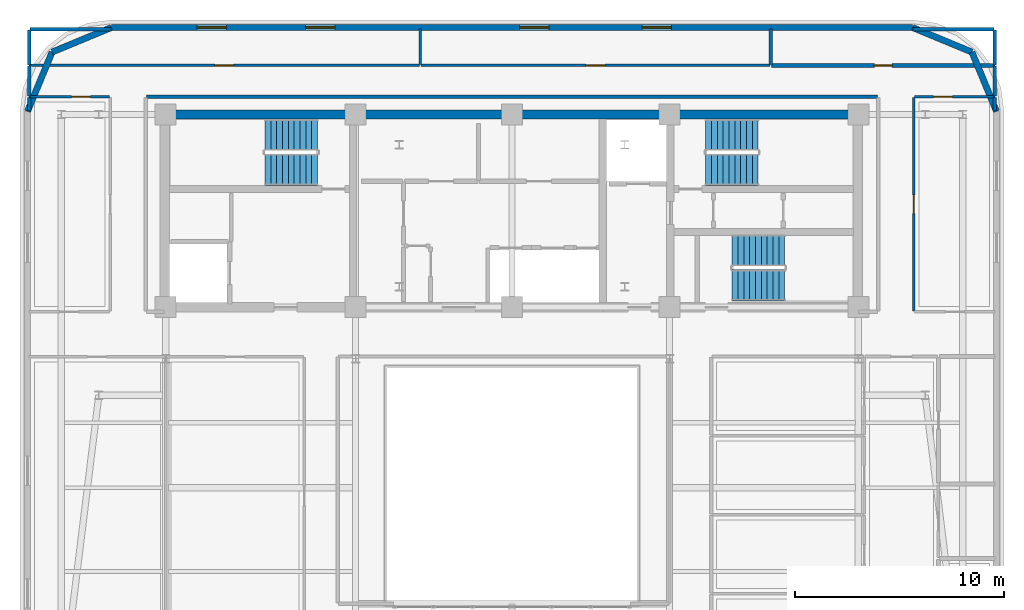
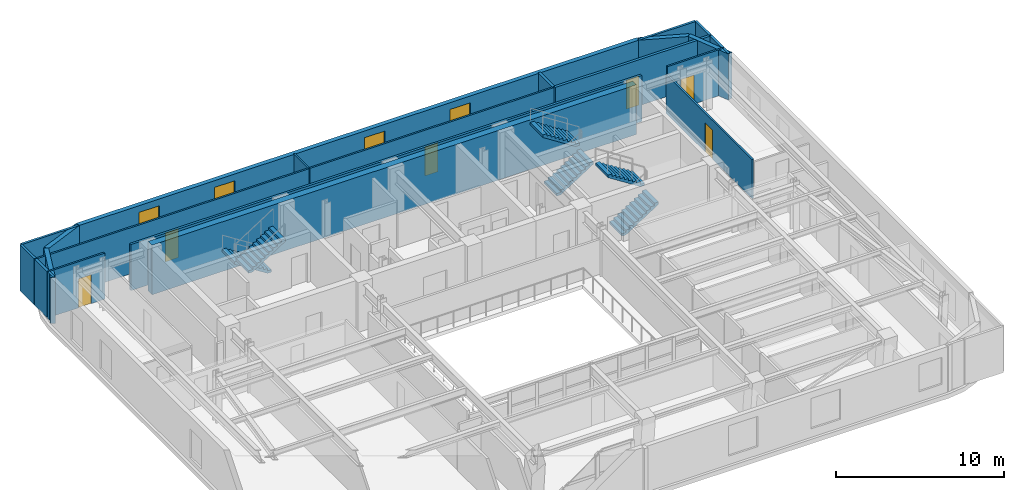
# One storey, part 9 of 13: 23 walls, 6 doors, 6 stair flights, 4 windows, 10 openings, 3 elements without a shape of their own.
"""IFC4 building model written with IfcOpenShell, lengths in metres."""

from ifc_helpers import new_model, si_unit, direction, frame, frame_2d, origin, place, context, subcontext, project, spatial, polyline, rectangle, outline, extrude, material, layer, layer_set, type_object, element, fill, aggregate, save


model = new_model("IFC4")

# Units and contexts
model_context = context("Model", 3, precision=1e-05, world=origin(), true_north=direction((0.0, 1.0)))
body_context = subcontext(model_context, "Body", "Model", "MODEL_VIEW")
ifc_project = project(units=[si_unit("LENGTHUNIT", "METRE"), si_unit("AREAUNIT", "SQUARE_METRE"), si_unit("VOLUMEUNIT", "CUBIC_METRE"), si_unit("PLANEANGLEUNIT", "RADIAN"), si_unit("MASSUNIT", "GRAM", prefix="KILO")], contexts=[model_context])

# Site, building, storey
site_placement = place(None, origin())
site = spatial("IfcSite", under=ifc_project, at=site_placement, CompositionType="ELEMENT")
building_placement = place(site_placement, origin())
building = spatial("IfcBuilding", under=site, at=building_placement, Name="Zarnavel Station Tower", CompositionType="ELEMENT")
storey_placement = place(building_placement, frame((0.0, 0.0, 207.60009765625)))
storey = spatial("IfcBuildingStorey", under=building, at=storey_placement, Name="L56", CompositionType="ELEMENT", Elevation=207.60009765625)

# Walls
ifc_material_1 = material(Name="Concrete C50/60", Category="concrete")
ifc_layer_1 = layer(ifc_material_1, 0.449951171875)
ifc_layer_set_1 = layer_set([ifc_layer_1], Name="CW_450")
wall_type_1 = type_object("IfcWallType", Name="CW_450", PredefinedType="SHEAR", material=ifc_layer_set_1)
wall_1_placement = place(storey_placement, frame((12.14990234375, 37.050048828125, 0.0), z_axis=(0.0, 0.0, 1.0), x_axis=(1.0, 0.0, 0.0)))
element("IfcWall", 1, at=wall_1_placement, inside=storey, type_object=wall_type_1, Name="L56 Rear Core Shear Wall N", PredefinedType="SHEAR", context=body_context, shape_type="SweptSolid", body=[
    extrude(rectangle(XDim=33.22998046875, YDim=0.449951171875, at=frame_2d((16.614990234375, 0.0))), origin(), (0.0, 0.0, 1.0), 3.599853515625),
])
ifc_material_2 = material(Name="Precast concrete C45/55 (Dark Basalt Finish)", Category="masonry")
ifc_layer_2 = layer(ifc_material_2, 0.300048828125)
ifc_layer_set_2 = layer_set([ifc_layer_2], Name="EW_BASALT_300")
wall_type_2 = type_object("IfcWallType", Name="EW_BASALT_300", PredefinedType="SOLIDWALL", material=ifc_layer_set_2)
for number, where, z_axis, x_axis, name in (
    (2, (50.842529296875, 40.04248046875, 0.0), (0.0, 0.0, 1.0), (0.382704529509, -0.923870793506, 0.0), "L56 Exterior Basalt Masonry Frame Wall 04"),
    (3, (48.0, 41.219970703125, 0.0), (0.0, 0.0, 1.0), (0.923870793506, -0.382704529509, 0.0), "L56 Exterior Basalt Masonry Frame Wall 05"),
):
    element("IfcWall", number, at=place(storey_placement, frame(where, z_axis=z_axis, x_axis=x_axis)), inside=storey, type_object=wall_type_2, Name=name, PredefinedType="SOLIDWALL", context=body_context, shape_type="SweptSolid", body=[
        extrude(rectangle(XDim=3.07666015625, YDim=0.300048828125, at=frame_2d((1.538330078125, 0.0))), origin(), (0.0, 0.0, 1.0), 3.33984375),
    ])

# Wall, openings, windows
wall_2_placement = place(storey_placement, frame((9.60009765625, 41.219970703125, 0.0), z_axis=(0.0, 0.0, 1.0), x_axis=(1.0, 0.0, 0.0)))
wall_2 = element("IfcWall", 4, at=wall_2_placement, inside=storey, type_object=wall_type_2, Name="L56 Exterior Basalt Masonry Frame Wall 06", PredefinedType="SOLIDWALL", context=body_context, shape_type="SweptSolid", body=[
    extrude(rectangle(XDim=38.39990234375, YDim=0.300048828125, at=frame_2d((19.199951171875, 0.0))), origin(), (0.0, 0.0, 1.0), 3.33984375),
])
opening_1_placement = place(wall_2_placement, frame((4.11328125, 0.0, 0.75)))
opening_1 = element("IfcOpeningElement", 5, at=opening_1_placement, cuts=wall_2, Name="Opening WN04", PredefinedType="OPENING", context=body_context, shape_type="SweptSolid", body=[
    extrude(rectangle(XDim=1.39990234375, YDim=2.10009765625, at=frame_2d((0.699951171875, 1.050048828125))), frame((0.0, 0.159912109375, 0.0), z_axis=(0.0, -1.0, 0.0), x_axis=(1.0, 0.0, 0.0)), (0.0, 0.0, 1.0), 0.320068359375),
])
opening_2_placement = place(wall_2_placement, frame((9.306640625, 0.0, 0.75)))
opening_2 = element("IfcOpeningElement", 6, at=opening_2_placement, cuts=wall_2, Name="Opening WN04", PredefinedType="OPENING", context=body_context, shape_type="SweptSolid", body=[
    extrude(rectangle(XDim=1.39990234375, YDim=2.10009765625, at=frame_2d((0.699951171875, 1.050048828125))), frame((0.0, 0.159912109375, 0.0), z_axis=(0.0, -1.0, 0.0), x_axis=(1.0, 0.0, 0.0)), (0.0, 0.0, 1.0), 0.320068359375),
])
opening_3_placement = place(wall_2_placement, frame((19.566650390625, 0.0, 0.75)))
opening_3 = element("IfcOpeningElement", 7, at=opening_3_placement, cuts=wall_2, Name="Opening WN04", PredefinedType="OPENING", context=body_context, shape_type="SweptSolid", body=[
    extrude(rectangle(XDim=1.39990234375, YDim=2.10009765625, at=frame_2d((0.699951171875, 1.050048828125))), frame((0.0, 0.159912109375, 0.0), z_axis=(0.0, -1.0, 0.0), x_axis=(1.0, 0.0, 0.0)), (0.0, 0.0, 1.0), 0.320068359375),
])
opening_4_placement = place(wall_2_placement, frame((25.433349609375, 0.0, 0.75)))
opening_4 = element("IfcOpeningElement", 8, at=opening_4_placement, cuts=wall_2, Name="Opening WN04", PredefinedType="OPENING", context=body_context, shape_type="SweptSolid", body=[
    extrude(rectangle(XDim=1.39990234375, YDim=2.10009765625, at=frame_2d((0.699951171875, 1.050048828125))), frame((0.0, 0.159912109375, 0.0), z_axis=(0.0, -1.0, 0.0), x_axis=(1.0, 0.0, 0.0)), (0.0, 0.0, 1.0), 0.320068359375),
])
ifc_material_3 = material(Name="Thermally Broken Black Aluminium and Low-E Dark Glass", Category="aluminium")
window_type = type_object("IfcWindowType", Name="WN_1400x2100", PartitioningType="DOUBLE_PANEL_VERTICAL", PredefinedType="WINDOW", material=ifc_material_3)
window_1_placement = place(opening_1_placement, origin())
window_1 = element("IfcWindow", 9, at=window_1_placement, inside=storey, type_object=window_type, Name="L56 Recessed Facade Window 01", OverallHeight=2.10009765625, OverallWidth=1.39990234375, PartitioningType="SINGLE_PANEL", PredefinedType="WINDOW", context=body_context, shape_type="SweptSolid", body=[
    extrude(rectangle(XDim=1.39990234375, YDim=2.10009765625, at=frame_2d((0.699951171875, 1.050048828125))), frame((0.0, 0.030029296875, 0.0), z_axis=(0.0, -1.0, 0.0), x_axis=(1.0, 0.0, 0.0)), (0.0, 0.0, 1.0), 0.06005859375),
])
fill(opening_1, window_1)
window_2_placement = place(opening_2_placement, origin())
window_2 = element("IfcWindow", 10, at=window_2_placement, inside=storey, type_object=window_type, Name="L56 Recessed Facade Window 02", OverallHeight=2.10009765625, OverallWidth=1.39990234375, PartitioningType="SINGLE_PANEL", PredefinedType="WINDOW", context=body_context, shape_type="SweptSolid", body=[
    extrude(rectangle(XDim=1.39990234375, YDim=2.10009765625, at=frame_2d((0.699951171875, 1.050048828125))), frame((0.0, 0.030029296875, 0.0), z_axis=(0.0, -1.0, 0.0), x_axis=(1.0, 0.0, 0.0)), (0.0, 0.0, 1.0), 0.06005859375),
])
fill(opening_2, window_2)
window_3_placement = place(opening_3_placement, origin())
window_3 = element("IfcWindow", 11, at=window_3_placement, inside=storey, type_object=window_type, Name="L56 Recessed Facade Window 03", OverallHeight=2.10009765625, OverallWidth=1.39990234375, PartitioningType="SINGLE_PANEL", PredefinedType="WINDOW", context=body_context, shape_type="SweptSolid", body=[
    extrude(rectangle(XDim=1.39990234375, YDim=2.10009765625, at=frame_2d((0.699951171875, 1.050048828125))), frame((0.0, 0.030029296875, 0.0), z_axis=(0.0, -1.0, 0.0), x_axis=(1.0, 0.0, 0.0)), (0.0, 0.0, 1.0), 0.06005859375),
])
fill(opening_3, window_3)
window_4_placement = place(opening_4_placement, origin())
window_4 = element("IfcWindow", 12, at=window_4_placement, inside=storey, type_object=window_type, Name="L56 Recessed Facade Window 04", OverallHeight=2.10009765625, OverallWidth=1.39990234375, PartitioningType="SINGLE_PANEL", PredefinedType="WINDOW", context=body_context, shape_type="SweptSolid", body=[
    extrude(rectangle(XDim=1.39990234375, YDim=2.10009765625, at=frame_2d((0.699951171875, 1.050048828125))), frame((0.0, 0.030029296875, 0.0), z_axis=(0.0, -1.0, 0.0), x_axis=(1.0, 0.0, 0.0)), (0.0, 0.0, 1.0), 0.06005859375),
])
fill(opening_4, window_4)

# Walls
wall_3_placement = place(storey_placement, frame((6.75732421875, 40.04248046875, 0.0), z_axis=(0.0, 0.0, 1.0), x_axis=(0.923882414032, 0.382676475685, 0.0)))
element("IfcWall", 13, at=wall_3_placement, inside=storey, type_object=wall_type_2, Name="L56 Exterior Basalt Masonry Frame Wall 07", PredefinedType="SOLIDWALL", context=body_context, shape_type="SweptSolid", body=[
    extrude(rectangle(XDim=3.076904296875, YDim=0.300048828125, at=frame_2d((1.53857421875, 0.0))), origin(), (0.0, 0.0, 1.0), 3.33984375),
])
wall_4_placement = place(storey_placement, frame((5.580078125, 37.199951171875, 0.0), z_axis=(0.0, 0.0, 1.0), x_axis=(0.382636798336, 0.92389884758, 0.0)))
element("IfcWall", 14, at=wall_4_placement, inside=storey, type_object=wall_type_2, Name="L56 Exterior Basalt Masonry Frame Wall 08", PredefinedType="SOLIDWALL", context=body_context, shape_type="SweptSolid", body=[
    extrude(rectangle(XDim=3.07666015625, YDim=0.300048828125, at=frame_2d((1.538330078125, 0.0))), origin(), (0.0, 0.0, 1.0), 3.33984375),
])
ifc_material_4 = material(Name="Gypsum Twin-Stud Acoustic Fire Partition", Category="concrete")
ifc_layer_3 = layer(ifc_material_4, 0.159912109375)
ifc_layer_set_3 = layer_set([ifc_layer_3], Name="PT_DEMISE_160")
wall_type_3 = type_object("IfcWallType", Name="PT_DEMISE_160", PredefinedType="PARTITIONING", material=ifc_layer_set_3)
wall_5_placement = place(storey_placement, frame((11.280029296875, 37.89990234375, 0.0), z_axis=(0.0, 0.0, 1.0), x_axis=(1.0, 0.0, 0.0)))
element("IfcWall", 15, at=wall_5_placement, inside=storey, type_object=wall_type_3, Name="L56 Enclosure Wall COR-N", PredefinedType="PARTITIONING", context=body_context, shape_type="SweptSolid", body=[
    extrude(rectangle(XDim=35.0400390625, YDim=0.159912109375, at=frame_2d((17.52001953125, 0.0))), origin(), (0.0, 0.0, 1.0), 3.33984375),
])
for number, where, z_axis, x_axis, name in (
    (16, (5.659912109375, 37.929931640625, 0.0), (0.0, 0.0, 1.0), (0.0, 1.0, 0.0), "L56 Enclosure Wall COR-N"),
    (17, (51.93994140625, 37.929931640625, 0.0), (0.0, 0.0, 1.0), (0.0, 1.0, 0.0), "L56 Enclosure Wall COR-N"),
):
    element("IfcWall", number, at=place(storey_placement, frame(where, z_axis=z_axis, x_axis=x_axis)), inside=storey, type_object=wall_type_3, Name=name, PredefinedType="PARTITIONING", context=body_context, shape_type="SweptSolid", body=[
        extrude(rectangle(XDim=1.440185546875, YDim=0.159912109375, at=frame_2d((0.72021484375, 0.0))), origin(), (0.0, 0.0, 1.0), 3.33984375),
    ])
for number, where, z_axis, x_axis, name in (
    (18, (5.659912109375, 37.22998046875, 0.0), (0.0, 0.0, 1.0), (0.0, 1.0, 0.0), "L56 Enclosure Wall FNW"),
    (19, (51.93994140625, 37.22998046875, 0.0), (0.0, 0.0, 1.0), (0.0, 1.0, 0.0), "L56 Enclosure Wall FNE"),
):
    element("IfcWall", number, at=place(storey_placement, frame(where, z_axis=z_axis, x_axis=x_axis)), inside=storey, type_object=wall_type_3, Name=name, PredefinedType="PARTITIONING", context=body_context, shape_type="SweptSolid", body=[
        extrude(rectangle(XDim=0.64013671875, YDim=0.159912109375, at=frame_2d((0.320068359375, 0.0))), origin(), (0.0, 0.0, 1.0), 3.33984375),
    ])
wall_6_placement = place(storey_placement, frame((5.68994140625, 41.139892578125, 0.0), z_axis=(0.0, 0.0, 1.0), x_axis=(1.0, 0.0, 0.0)))
element("IfcWall", 20, at=wall_6_placement, inside=storey, type_object=wall_type_3, Name="L56 Enclosure Wall NLIB", PredefinedType="PARTITIONING", context=body_context, shape_type="SweptSolid", body=[
    extrude(rectangle(XDim=3.880126953125, YDim=0.159912109375, at=frame_2d((1.93994140625, 0.0))), origin(), (0.0, 0.0, 1.0), 3.33984375),
])
wall_7_placement = place(storey_placement, frame((5.659912109375, 39.429931640625, 0.0), z_axis=(0.0, 0.0, 1.0), x_axis=(0.0, 1.0, 0.0)))
element("IfcWall", 21, at=wall_7_placement, inside=storey, type_object=wall_type_3, Name="L56 Enclosure Wall NLIB", PredefinedType="PARTITIONING", context=body_context, shape_type="SweptSolid", body=[
    extrude(rectangle(XDim=1.68017578125, YDim=0.159912109375, at=frame_2d((0.840087890625, 0.0))), origin(), (0.0, 0.0, 1.0), 3.33984375),
])
wall_8_placement = place(storey_placement, frame((48.030029296875, 41.139892578125, 0.0), z_axis=(0.0, 0.0, 1.0), x_axis=(1.0, 0.0, 0.0)))
element("IfcWall", 22, at=wall_8_placement, inside=storey, type_object=wall_type_3, Name="L56 Enclosure Wall NWC", PredefinedType="PARTITIONING", context=body_context, shape_type="SweptSolid", body=[
    extrude(rectangle(XDim=3.8798828125, YDim=0.159912109375, at=frame_2d((1.93994140625, 0.0))), origin(), (0.0, 0.0, 1.0), 3.33984375),
])
wall_9_placement = place(storey_placement, frame((51.93994140625, 39.429931640625, 0.0), z_axis=(0.0, 0.0, 1.0), x_axis=(0.0, 1.0, 0.0)))
element("IfcWall", 23, at=wall_9_placement, inside=storey, type_object=wall_type_3, Name="L56 Enclosure Wall NWC", PredefinedType="PARTITIONING", context=body_context, shape_type="SweptSolid", body=[
    extrude(rectangle(XDim=1.68017578125, YDim=0.159912109375, at=frame_2d((0.840087890625, 0.0))), origin(), (0.0, 0.0, 1.0), 3.33984375),
])

# Wall, opening, door
ifc_material_5 = material(Name="Gypsum Metal-Stud Interior Partition", Category="concrete")
ifc_layer_4 = layer(ifc_material_5, 0.1201171875)
ifc_layer_set_4 = layer_set([ifc_layer_4], Name="PT_ROOM_120")
wall_type_4 = type_object("IfcWallType", Name="PT_ROOM_120", PredefinedType="PARTITIONING", material=ifc_layer_set_4)
wall_10_placement = place(storey_placement, frame((48.050048828125, 27.639892578125, 0.0), z_axis=(0.0, 0.0, 1.0), x_axis=(0.0, 1.0, 0.0)))
wall_10 = element("IfcWall", 24, at=wall_10_placement, inside=storey, type_object=wall_type_4, Name="L56 Partition COR-E-FNE", PredefinedType="PARTITIONING", context=body_context, shape_type="SweptSolid", body=[
    extrude(rectangle(XDim=10.22021484375, YDim=0.1201171875, at=frame_2d((5.110107421875, 0.0))), origin(), (0.0, 0.0, 1.0), 2.81982421875),
])
opening_5_placement = place(wall_10_placement, frame((4.659912109375, 0.0, 0.0)))
opening_5 = element("IfcOpeningElement", 25, at=opening_5_placement, cuts=wall_10, Name="Opening ID01", PredefinedType="OPENING", context=body_context, shape_type="SweptSolid", body=[
    extrude(rectangle(XDim=0.89990234375, YDim=2.10009765625, at=frame_2d((0.449951171875, 1.050048828125))), frame((0.0, 0.070068359375, 0.0), z_axis=(0.0, -1.0, 0.0), x_axis=(1.0, 0.0, 0.0)), (0.0, 0.0, 1.0), 0.14013671875),
])
ifc_material_6 = material(Name="Painted Galvanised Steel and Hardwood Leaf", Category="steel")
door_type_1 = type_object("IfcDoorType", Name="ID_ROOM_900", OperationType="NOTDEFINED", PredefinedType="DOOR", material=ifc_material_6)
door_1_placement = place(opening_5_placement, origin())
door_1 = element("IfcDoor", 26, at=door_1_placement, inside=storey, type_object=door_type_1, Name="L56 Door COR-E-FNE", OperationType="SINGLE_SWING_LEFT", OverallHeight=2.10009765625, OverallWidth=0.89990234375, PredefinedType="DOOR", context=body_context, shape_type="SweptSolid", body=[
    extrude(rectangle(XDim=0.89990234375, YDim=2.10009765625, at=frame_2d((0.449951171875, 1.050048828125))), frame((0.0, 0.02490234375, 0.0), z_axis=(0.0, -1.0, 0.0), x_axis=(1.0, 0.0, 0.0)), (0.0, 0.0, 1.0), 0.050048828125),
])
fill(opening_5, door_1)

wall_11_placement = place(storey_placement, frame((5.659912109375, 37.89990234375, 0.0), z_axis=(0.0, 0.0, 1.0), x_axis=(1.0, 0.0, 0.0)))
wall_11 = element("IfcWall", 27, at=wall_11_placement, inside=storey, type_object=wall_type_4, Name="L56 Partition COR-N-FNW", PredefinedType="PARTITIONING", context=body_context, shape_type="SweptSolid", body=[
    extrude(rectangle(XDim=3.85009765625, YDim=0.1201171875, at=frame_2d((1.925048828125, 0.0))), origin(), (0.0, 0.0, 1.0), 3.33984375),
])
opening_6_placement = place(wall_11_placement, frame((2.03125, 0.0, 0.0)))
opening_6 = element("IfcOpeningElement", 28, at=opening_6_placement, cuts=wall_11, Name="Opening ID01", PredefinedType="OPENING", context=body_context, shape_type="SweptSolid", body=[
    extrude(rectangle(XDim=0.89990234375, YDim=2.10009765625, at=frame_2d((0.449951171875, 1.050048828125))), frame((0.0, 0.070068359375, 0.0), z_axis=(0.0, -1.0, 0.0), x_axis=(1.0, 0.0, 0.0)), (0.0, 0.0, 1.0), 0.14013671875),
])
door_2_placement = place(opening_6_placement, origin())
door_2 = element("IfcDoor", 29, at=door_2_placement, inside=storey, type_object=door_type_1, Name="L56 Door COR-N-FNW", OperationType="SINGLE_SWING_RIGHT", OverallHeight=2.10009765625, OverallWidth=0.89990234375, PredefinedType="DOOR", context=body_context, shape_type="SweptSolid", body=[
    extrude(rectangle(XDim=0.89990234375, YDim=2.10009765625, at=frame_2d((0.449951171875, 1.050048828125))), frame((0.0, 0.02490234375, 0.0), z_axis=(0.0, -1.0, 0.0), x_axis=(1.0, 0.0, 0.0)), (0.0, 0.0, 1.0), 0.050048828125),
])
fill(opening_6, door_2)

wall_12_placement = place(storey_placement, frame((48.090087890625, 37.89990234375, 0.0), z_axis=(0.0, 0.0, 1.0), x_axis=(1.0, 0.0, 0.0)))
wall_12 = element("IfcWall", 30, at=wall_12_placement, inside=storey, type_object=wall_type_4, Name="L56 Partition COR-N-FNE", PredefinedType="PARTITIONING", context=body_context, shape_type="SweptSolid", body=[
    extrude(rectangle(XDim=3.849853515625, YDim=0.1201171875, at=frame_2d((1.9248046875, 0.0))), origin(), (0.0, 0.0, 1.0), 3.33984375),
])
opening_7_placement = place(wall_12_placement, frame((0.918701171875, 0.0, 0.0)))
opening_7 = element("IfcOpeningElement", 31, at=opening_7_placement, cuts=wall_12, Name="Opening ID01", PredefinedType="OPENING", context=body_context, shape_type="SweptSolid", body=[
    extrude(rectangle(XDim=0.89990234375, YDim=2.10009765625, at=frame_2d((0.449951171875, 1.050048828125))), frame((0.0, 0.070068359375, 0.0), z_axis=(0.0, -1.0, 0.0), x_axis=(1.0, 0.0, 0.0)), (0.0, 0.0, 1.0), 0.14013671875),
])
door_3_placement = place(opening_7_placement, origin())
door_3 = element("IfcDoor", 32, at=door_3_placement, inside=storey, type_object=door_type_1, Name="L56 Door COR-N-FNE", OperationType="SINGLE_SWING_LEFT", OverallHeight=2.10009765625, OverallWidth=0.89990234375, PredefinedType="DOOR", context=body_context, shape_type="SweptSolid", body=[
    extrude(rectangle(XDim=0.89990234375, YDim=2.10009765625, at=frame_2d((0.449951171875, 1.050048828125))), frame((0.0, 0.02490234375, 0.0), z_axis=(0.0, -1.0, 0.0), x_axis=(1.0, 0.0, 0.0)), (0.0, 0.0, 1.0), 0.050048828125),
])
fill(opening_7, door_3)

wall_13_placement = place(storey_placement, frame((5.659912109375, 39.39990234375, 0.0), z_axis=(0.0, 0.0, 1.0), x_axis=(1.0, 0.0, 0.0)))
wall_13 = element("IfcWall", 33, at=wall_13_placement, inside=storey, type_object=wall_type_4, Name="L56 Partition COR-N-NLIB", PredefinedType="PARTITIONING", context=body_context, shape_type="SweptSolid", body=[
    extrude(rectangle(XDim=18.7001953125, YDim=0.1201171875, at=frame_2d((9.35009765625, 0.0))), origin(), (0.0, 0.0, 1.0), 3.33984375),
])
opening_8_placement = place(wall_13_placement, frame((8.89990234375, 0.0, 0.0)))
opening_8 = element("IfcOpeningElement", 34, at=opening_8_placement, cuts=wall_13, Name="Opening ID01", PredefinedType="OPENING", context=body_context, shape_type="SweptSolid", body=[
    extrude(rectangle(XDim=0.89990234375, YDim=2.10009765625, at=frame_2d((0.449951171875, 1.050048828125))), frame((0.0, 0.070068359375, 0.0), z_axis=(0.0, -1.0, 0.0), x_axis=(1.0, 0.0, 0.0)), (0.0, 0.0, 1.0), 0.14013671875),
])
door_4_placement = place(opening_8_placement, origin())
door_4 = element("IfcDoor", 35, at=door_4_placement, inside=storey, type_object=door_type_1, Name="L56 Door COR-N-NLIB", OperationType="SINGLE_SWING_RIGHT", OverallHeight=2.10009765625, OverallWidth=0.89990234375, PredefinedType="DOOR", context=body_context, shape_type="SweptSolid", body=[
    extrude(rectangle(XDim=0.89990234375, YDim=2.10009765625, at=frame_2d((0.449951171875, 1.050048828125))), frame((0.0, 0.02490234375, 0.0), z_axis=(0.0, -1.0, 0.0), x_axis=(1.0, 0.0, 0.0)), (0.0, 0.0, 1.0), 0.050048828125),
])
fill(opening_8, door_4)

wall_14_placement = place(storey_placement, frame((24.43994140625, 39.39990234375, 0.0), z_axis=(0.0, 0.0, 1.0), x_axis=(1.0, 0.0, 0.0)))
wall_14 = element("IfcWall", 36, at=wall_14_placement, inside=storey, type_object=wall_type_4, Name="L56 Partition COR-N-NSPA", PredefinedType="PARTITIONING", context=body_context, shape_type="SweptSolid", body=[
    extrude(rectangle(XDim=16.719970703125, YDim=0.1201171875, at=frame_2d((8.35986328125, 0.0))), origin(), (0.0, 0.0, 1.0), 3.33984375),
])
opening_9_placement = place(wall_14_placement, frame((7.909912109375, 0.0, 0.0)))
opening_9 = element("IfcOpeningElement", 37, at=opening_9_placement, cuts=wall_14, Name="Opening ID01", PredefinedType="OPENING", context=body_context, shape_type="SweptSolid", body=[
    extrude(rectangle(XDim=0.89990234375, YDim=2.10009765625, at=frame_2d((0.449951171875, 1.050048828125))), frame((0.0, 0.070068359375, 0.0), z_axis=(0.0, -1.0, 0.0), x_axis=(1.0, 0.0, 0.0)), (0.0, 0.0, 1.0), 0.14013671875),
])
door_5_placement = place(opening_9_placement, origin())
door_5 = element("IfcDoor", 38, at=door_5_placement, inside=storey, type_object=door_type_1, Name="L56 Door COR-N-NSPA", OperationType="SINGLE_SWING_LEFT", OverallHeight=2.10009765625, OverallWidth=0.89990234375, PredefinedType="DOOR", context=body_context, shape_type="SweptSolid", body=[
    extrude(rectangle(XDim=0.89990234375, YDim=2.10009765625, at=frame_2d((0.449951171875, 1.050048828125))), frame((0.0, 0.02490234375, 0.0), z_axis=(0.0, -1.0, 0.0), x_axis=(1.0, 0.0, 0.0)), (0.0, 0.0, 1.0), 0.050048828125),
])
fill(opening_9, door_5)

# Wall
wall_15_placement = place(storey_placement, frame((24.39990234375, 39.43994140625, 0.0), z_axis=(0.0, 0.0, 1.0), x_axis=(0.0, 1.0, 0.0)))
element("IfcWall", 39, at=wall_15_placement, inside=storey, type_object=wall_type_4, Name="L56 Partition NLIB-NSPA", PredefinedType="PARTITIONING", context=body_context, shape_type="SweptSolid", body=[
    extrude(rectangle(XDim=1.699951171875, YDim=0.1201171875, at=frame_2d((0.85009765625, 0.0))), origin(), (0.0, 0.0, 1.0), 3.33984375),
])

# Wall, opening, door
ifc_material_7 = material(Name="Moisture-Resistant Plumbing Chase Wall", Category="concrete")
ifc_layer_5 = layer(ifc_material_7, 0.179931640625)
ifc_layer_set_5 = layer_set([ifc_layer_5], Name="PW_PLUMB_180")
wall_type_5 = type_object("IfcWallType", Name="PW_PLUMB_180", PredefinedType="PLUMBINGWALL", material=ifc_layer_set_5)
wall_16_placement = place(storey_placement, frame((41.239990234375, 39.39990234375, 0.0), z_axis=(0.0, 0.0, 1.0), x_axis=(1.0, 0.0, 0.0)))
wall_16 = element("IfcWall", 40, at=wall_16_placement, inside=storey, type_object=wall_type_5, Name="L56 Partition COR-N-NWC", PredefinedType="PLUMBINGWALL", context=body_context, shape_type="SweptSolid", body=[
    extrude(rectangle(XDim=10.699951171875, YDim=0.179931640625, at=frame_2d((5.35009765625, 0.0))), origin(), (0.0, 0.0, 1.0), 3.33984375),
])
opening_10_placement = place(wall_16_placement, frame((4.925048828125, 0.0, 0.0)))
opening_10 = element("IfcOpeningElement", 41, at=opening_10_placement, cuts=wall_16, Name="Opening ID02", PredefinedType="OPENING", context=body_context, shape_type="SweptSolid", body=[
    extrude(rectangle(XDim=0.85009765625, YDim=2.10009765625, at=frame_2d((0.425048828125, 1.050048828125))), frame((0.0, 0.099853515625, 0.0), z_axis=(0.0, -1.0, 0.0), x_axis=(1.0, 0.0, 0.0)), (0.0, 0.0, 1.0), 0.199951171875),
])
ifc_material_8 = material(Name="Painted Galvanised Steel and Hardwood Leaf", Category="steel")
door_type_2 = type_object("IfcDoorType", Name="ID_BATH_850", OperationType="NOTDEFINED", PredefinedType="DOOR", material=ifc_material_8)
door_6_placement = place(opening_10_placement, origin())
door_6 = element("IfcDoor", 42, at=door_6_placement, inside=storey, type_object=door_type_2, Name="L56 Door COR-N-NWC", OperationType="SINGLE_SWING_RIGHT", OverallHeight=2.10009765625, OverallWidth=0.85009765625, PredefinedType="DOOR", context=body_context, shape_type="SweptSolid", body=[
    extrude(rectangle(XDim=0.85009765625, YDim=2.10009765625, at=frame_2d((0.425048828125, 1.050048828125))), frame((0.0, 0.02490234375, 0.0), z_axis=(0.0, -1.0, 0.0), x_axis=(1.0, 0.0, 0.0)), (0.0, 0.0, 1.0), 0.050048828125),
])
fill(opening_10, door_6)

# Wall
wall_17_placement = place(storey_placement, frame((41.199951171875, 39.43994140625, 0.0), z_axis=(0.0, 0.0, 1.0), x_axis=(0.0, 1.0, 0.0)))
element("IfcWall", 43, at=wall_17_placement, inside=storey, type_object=wall_type_5, Name="L56 Partition NSPA-NWC", PredefinedType="PLUMBINGWALL", context=body_context, shape_type="SweptSolid", body=[
    extrude(rectangle(XDim=1.699951171875, YDim=0.179931640625, at=frame_2d((0.85009765625, 0.0))), origin(), (0.0, 0.0, 1.0), 3.33984375),
])

# Stair, stair flights
ifc_material_9 = material(Name="Concrete C45/55", Category="concrete")
stair_type = type_object("IfcStairType", Name="ST_CORE_150", PredefinedType="HALF_TURN_STAIR", material=ifc_material_9)
stair_1_placement = place(storey_placement, origin())
stair_1 = element("IfcStair", 44, at=stair_1_placement, inside=storey, type_object=stair_type, Name="L56 Core Exit Stair ST1", PredefinedType="HALF_TURN_STAIR")
ifc_material_10 = material(Name="Concrete C45/55", Category="concrete")
ifc_layer_6 = layer(ifc_material_10, 0.179931640625)
ifc_layer_set_6 = layer_set([ifc_layer_6], Name="ST_CORE_150_FLT")
stair_flight_type = type_object("IfcStairFlightType", Name="ST_CORE_150_FLT", PredefinedType="STRAIGHT", material=ifc_layer_set_6)
stair_flight_1_placement = place(storey_placement, frame((19.47998046875, 36.070068359375, 0.0), z_axis=(0.0, 0.0, 1.0), x_axis=(-1.0, 0.0, 0.0)))
stair_flight_1 = element("IfcStairFlight", 45, at=stair_flight_1_placement, type_object=stair_flight_type, Name="ST1 flight 1", NumberOfRisers=10, NumberOfTreads=9, PredefinedType="STRAIGHT", RiserHeight=0.18, TreadLength=0.28, context=body_context, shape_type="SweptSolid", body=[
    extrude(outline(polyline([(0.0, 0.0), (0.0, 0.179931640625), (0.280029296875, 0.179931640625), (0.280029296875, 0.360107421875), (0.56005859375, 0.360107421875), (0.56005859375, 0.5400390625), (0.840087890625, 0.5400390625), (0.840087890625, 0.719970703125), (1.1201171875, 0.719970703125), (1.1201171875, 0.89990234375), (1.39990234375, 0.89990234375), (1.39990234375, 1.080078125), (1.679931640625, 1.080078125), (1.679931640625, 1.260009765625), (1.9599609375, 1.260009765625), (1.9599609375, 1.43994140625), (2.239990234375, 1.43994140625), (2.239990234375, 1.6201171875), (2.52001953125, 1.6201171875), (2.52001953125, 1.800048828125), (2.52001953125, 1.44189453125), (0.277099609375, 0.0), (0.0, 0.0)])), frame((0.0, 0.75, 0.0), z_axis=(0.0, -1.0, 0.0), x_axis=(1.0, 0.0, 0.0)), (0.0, 0.0, 1.0), 1.5),
])
stair_flight_2_placement = place(storey_placement, frame((16.9599609375, 34.409912109375, 1.7998046875), z_axis=(0.0, 0.0, 1.0), x_axis=(1.0, 0.0, 0.0)))
stair_flight_2 = element("IfcStairFlight", 46, at=stair_flight_2_placement, type_object=stair_flight_type, Name="ST1 flight 2", NumberOfRisers=10, NumberOfTreads=9, PredefinedType="STRAIGHT", RiserHeight=0.18, TreadLength=0.28, context=body_context, shape_type="SweptSolid", body=[
    extrude(outline(polyline([(0.0, 0.0), (0.0, 0.179931640625), (0.280029296875, 0.179931640625), (0.280029296875, 0.360107421875), (0.56005859375, 0.360107421875), (0.56005859375, 0.5400390625), (0.840087890625, 0.5400390625), (0.840087890625, 0.719970703125), (1.1201171875, 0.719970703125), (1.1201171875, 0.89990234375), (1.39990234375, 0.89990234375), (1.39990234375, 1.080078125), (1.679931640625, 1.080078125), (1.679931640625, 1.260009765625), (1.9599609375, 1.260009765625), (1.9599609375, 1.43994140625), (2.239990234375, 1.43994140625), (2.239990234375, 1.6201171875), (2.52001953125, 1.6201171875), (2.52001953125, 1.800048828125), (2.52001953125, 1.44189453125), (0.277099609375, 0.0), (0.0, 0.0)])), frame((0.0, 0.75, 0.0), z_axis=(0.0, -1.0, 0.0), x_axis=(1.0, 0.0, 0.0)), (0.0, 0.0, 1.0), 1.5),
])
aggregate(stair_1, [stair_flight_1, stair_flight_2])

stair_2_placement = place(storey_placement, origin())
stair_2 = element("IfcStair", 47, at=stair_2_placement, inside=storey, type_object=stair_type, Name="L56 Core Exit Stair ST2", PredefinedType="HALF_TURN_STAIR")
stair_flight_3_placement = place(storey_placement, frame((38.080078125, 34.409912109375, 0.0), z_axis=(0.0, 0.0, 1.0), x_axis=(1.0, 0.0, 0.0)))
stair_flight_3 = element("IfcStairFlight", 48, at=stair_flight_3_placement, type_object=stair_flight_type, Name="ST2 flight 1", NumberOfRisers=10, NumberOfTreads=9, PredefinedType="STRAIGHT", RiserHeight=0.18, TreadLength=0.28, context=body_context, shape_type="SweptSolid", body=[
    extrude(outline(polyline([(0.0, 0.0), (0.0, 0.179931640625), (0.280029296875, 0.179931640625), (0.280029296875, 0.360107421875), (0.56005859375, 0.360107421875), (0.56005859375, 0.5400390625), (0.840087890625, 0.5400390625), (0.840087890625, 0.719970703125), (1.1201171875, 0.719970703125), (1.1201171875, 0.89990234375), (1.39990234375, 0.89990234375), (1.39990234375, 1.080078125), (1.679931640625, 1.080078125), (1.679931640625, 1.260009765625), (1.9599609375, 1.260009765625), (1.9599609375, 1.43994140625), (2.239990234375, 1.43994140625), (2.239990234375, 1.6201171875), (2.52001953125, 1.6201171875), (2.52001953125, 1.800048828125), (2.52001953125, 1.44189453125), (0.277099609375, 0.0), (0.0, 0.0)])), frame((0.0, 0.75, 0.0), z_axis=(0.0, -1.0, 0.0), x_axis=(1.0, 0.0, 0.0)), (0.0, 0.0, 1.0), 1.5),
])
stair_flight_4_placement = place(storey_placement, frame((40.60009765625, 36.070068359375, 1.7998046875), z_axis=(0.0, 0.0, 1.0), x_axis=(-1.0, 0.0, 0.0)))
stair_flight_4 = element("IfcStairFlight", 49, at=stair_flight_4_placement, type_object=stair_flight_type, Name="ST2 flight 2", NumberOfRisers=10, NumberOfTreads=9, PredefinedType="STRAIGHT", RiserHeight=0.18, TreadLength=0.28, context=body_context, shape_type="SweptSolid", body=[
    extrude(outline(polyline([(0.0, 0.0), (0.0, 0.179931640625), (0.280029296875, 0.179931640625), (0.280029296875, 0.360107421875), (0.56005859375, 0.360107421875), (0.56005859375, 0.5400390625), (0.840087890625, 0.5400390625), (0.840087890625, 0.719970703125), (1.1201171875, 0.719970703125), (1.1201171875, 0.89990234375), (1.39990234375, 0.89990234375), (1.39990234375, 1.080078125), (1.679931640625, 1.080078125), (1.679931640625, 1.260009765625), (1.9599609375, 1.260009765625), (1.9599609375, 1.43994140625), (2.239990234375, 1.43994140625), (2.239990234375, 1.6201171875), (2.52001953125, 1.6201171875), (2.52001953125, 1.800048828125), (2.52001953125, 1.44189453125), (0.277099609375, 0.0), (0.0, 0.0)])), frame((0.0, 0.75, 0.0), z_axis=(0.0, -1.0, 0.0), x_axis=(1.0, 0.0, 0.0)), (0.0, 0.0, 1.0), 1.5),
])
aggregate(stair_2, [stair_flight_3, stair_flight_4])

stair_3_placement = place(storey_placement, origin())
stair_3 = element("IfcStair", 50, at=stair_3_placement, inside=storey, type_object=stair_type, Name="L56 Core Exit Stair ST3", PredefinedType="HALF_TURN_STAIR")
stair_flight_5_placement = place(storey_placement, frame((39.35009765625, 28.8701171875, 0.0), z_axis=(0.0, 0.0, 1.0), x_axis=(1.0, 0.0, 0.0)))
stair_flight_5 = element("IfcStairFlight", 51, at=stair_flight_5_placement, type_object=stair_flight_type, Name="ST3 flight 1", NumberOfRisers=10, NumberOfTreads=9, PredefinedType="STRAIGHT", RiserHeight=0.18, TreadLength=0.28, context=body_context, shape_type="SweptSolid", body=[
    extrude(outline(polyline([(0.0, 0.0), (0.0, 0.179931640625), (0.280029296875, 0.179931640625), (0.280029296875, 0.360107421875), (0.56005859375, 0.360107421875), (0.56005859375, 0.5400390625), (0.840087890625, 0.5400390625), (0.840087890625, 0.719970703125), (1.1201171875, 0.719970703125), (1.1201171875, 0.89990234375), (1.39990234375, 0.89990234375), (1.39990234375, 1.080078125), (1.679931640625, 1.080078125), (1.679931640625, 1.260009765625), (1.9599609375, 1.260009765625), (1.9599609375, 1.43994140625), (2.239990234375, 1.43994140625), (2.239990234375, 1.6201171875), (2.52001953125, 1.6201171875), (2.52001953125, 1.800048828125), (2.52001953125, 1.44189453125), (0.277099609375, 0.0), (0.0, 0.0)])), frame((0.0, 0.75, 0.0), z_axis=(0.0, -1.0, 0.0), x_axis=(1.0, 0.0, 0.0)), (0.0, 0.0, 1.0), 1.5),
])
stair_flight_6_placement = place(storey_placement, frame((41.8701171875, 30.530029296875, 1.7998046875), z_axis=(0.0, 0.0, 1.0), x_axis=(-1.0, 0.0, 0.0)))
stair_flight_6 = element("IfcStairFlight", 52, at=stair_flight_6_placement, type_object=stair_flight_type, Name="ST3 flight 2", NumberOfRisers=10, NumberOfTreads=9, PredefinedType="STRAIGHT", RiserHeight=0.18, TreadLength=0.28, context=body_context, shape_type="SweptSolid", body=[
    extrude(outline(polyline([(0.0, 0.0), (0.0, 0.179931640625), (0.280029296875, 0.179931640625), (0.280029296875, 0.360107421875), (0.56005859375, 0.360107421875), (0.56005859375, 0.5400390625), (0.840087890625, 0.5400390625), (0.840087890625, 0.719970703125), (1.1201171875, 0.719970703125), (1.1201171875, 0.89990234375), (1.39990234375, 0.89990234375), (1.39990234375, 1.080078125), (1.679931640625, 1.080078125), (1.679931640625, 1.260009765625), (1.9599609375, 1.260009765625), (1.9599609375, 1.43994140625), (2.239990234375, 1.43994140625), (2.239990234375, 1.6201171875), (2.52001953125, 1.6201171875), (2.52001953125, 1.800048828125), (2.52001953125, 1.44189453125), (0.277099609375, 0.0), (0.0, 0.0)])), frame((0.0, 0.75, 0.0), z_axis=(0.0, -1.0, 0.0), x_axis=(1.0, 0.0, 0.0)), (0.0, 0.0, 1.0), 1.5),
])
aggregate(stair_3, [stair_flight_5, stair_flight_6])

save(model, "model.ifc")
